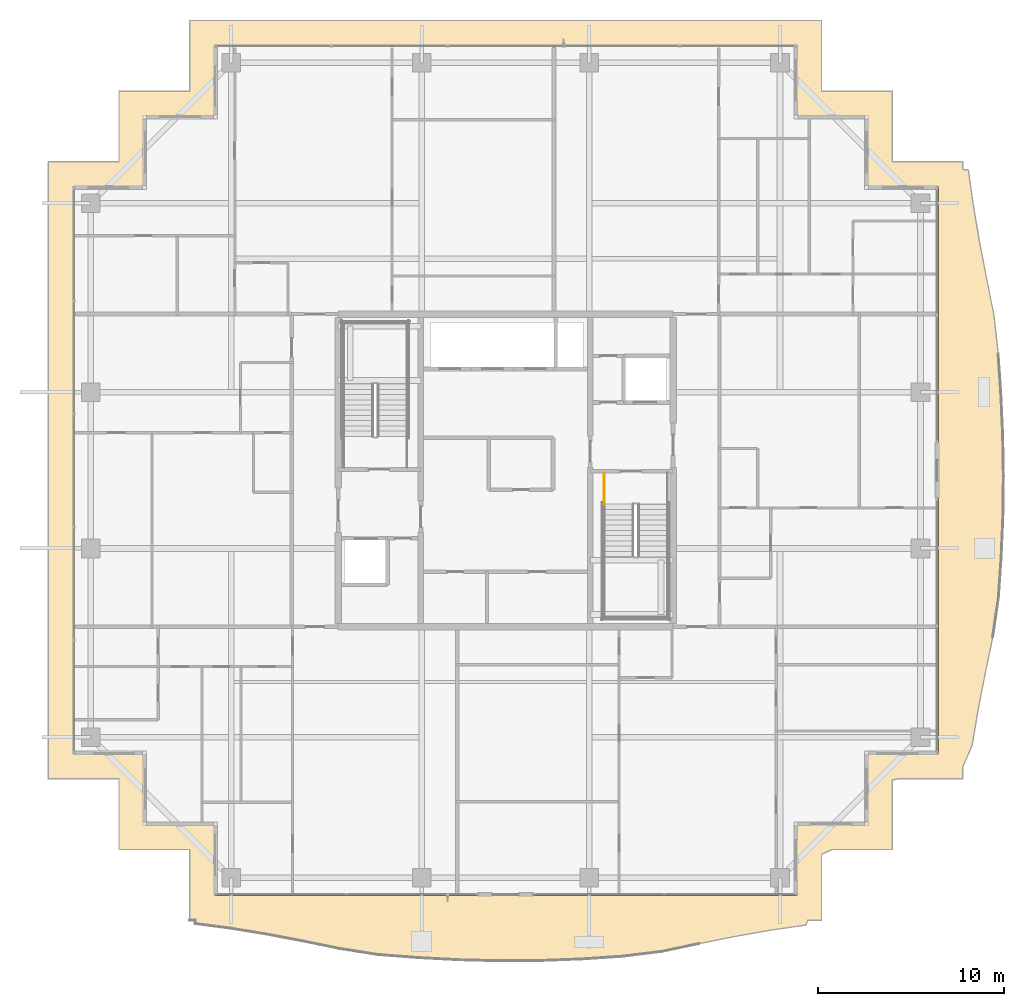
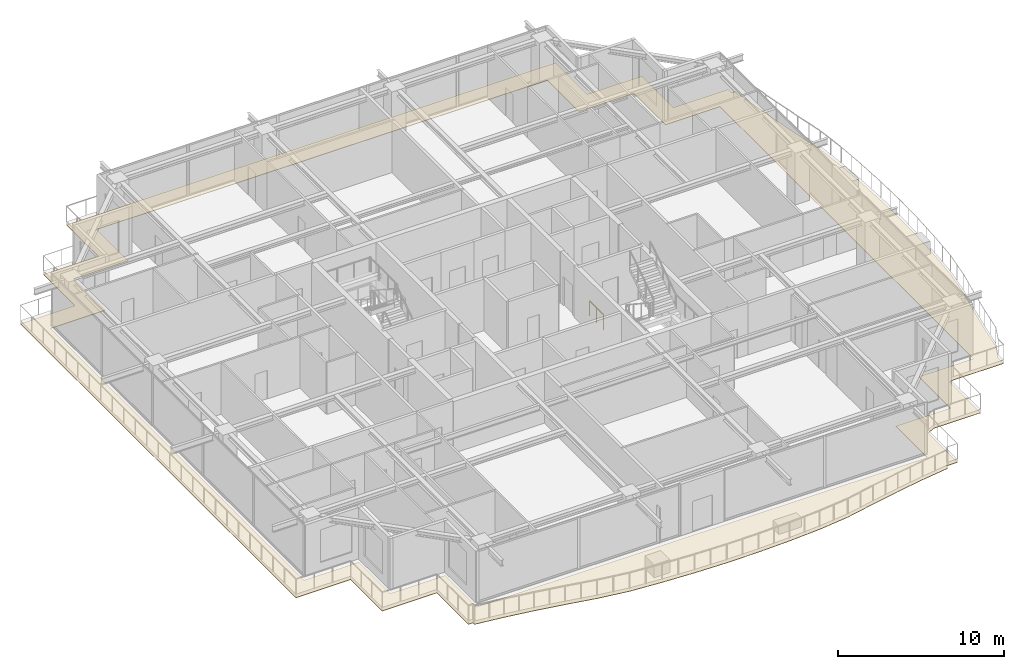
# One storey, part 39 of 41: 1 covering, 1 railing.
"""IFC4 building model written with IfcOpenShell, lengths in metres."""

import ifcopenshell
import ifcopenshell.guid

model = None  # the IFC model being written
_history = None  # IfcOwnerHistory: only IFC2X3 demands one
_inside = {}  # id of a spatial element -> (the spatial element, [elements in it])
_under = {}  # id of a project, library or spatial element -> (it, [spatial elements below it])
_declared = {}  # id of a project -> (the project, [libraries it declares])
_typed = {}  # id of a type object -> (the type object, [elements of that type])
_made_of = {}  # id of a material, layer set ... -> (it, [elements and type objects made of it])


def new_model(schema):
    """Start an empty IFC model of exactly this schema.

    Asked for "IFC4X3", IfcOpenShell would pick the latest addendum, in which some entities
    have other attributes; the version numbers below select the first issue.
    IFC2X3 requires an IfcOwnerHistory on every rooted entity: one is made here for all.
    """
    global model, _history
    if schema == "IFC4X3":
        model = ifcopenshell.file(schema_version=(4, 3, 0, 0))
    else:
        model = ifcopenshell.file(schema=schema)
    _inside.clear()
    _under.clear()
    _declared.clear()
    _typed.clear()
    _made_of.clear()
    _history = None
    if model.schema == "IFC2X3":
        org = make("IfcOrganization", Name="unknown")
        user = make(
            "IfcPersonAndOrganization",
            ThePerson=make("IfcPerson", FamilyName="unknown"),
            TheOrganization=org,
        )
        app = make(
            "IfcApplication",
            ApplicationDeveloper=org,
            Version="unknown",
            ApplicationFullName="unknown",
            ApplicationIdentifier="unknown",
        )
        _history = make(
            "IfcOwnerHistory",
            OwningUser=user,
            OwningApplication=app,
            ChangeAction="ADDED",
            CreationDate=0,
        )
    return model


def make(cls, **values):
    """One entity of the class cls with the attributes given. An attribute that is None is left unset."""
    return model.create_entity(
        cls, **{name: value for name, value in values.items() if value is not None}
    )


def rooted(cls, **values):
    """An entity with a GlobalId (a new one), such as an element, a storey or a relation."""
    return make(cls, GlobalId=ifcopenshell.guid.new(), OwnerHistory=_history, **values)


def si_unit(unit_type, name, prefix=None):
    """IfcSIUnit, for example si_unit("LENGTHUNIT", "METRE", prefix="MILLI")."""
    return make("IfcSIUnit", UnitType=unit_type, Prefix=prefix, Name=name)


def assignment(units):
    """IfcUnitAssignment: the units of a project."""
    return None if units is None else make("IfcUnitAssignment", Units=units)


def point(xyz):
    """IfcCartesianPoint."""
    return None if xyz is None else make("IfcCartesianPoint", Coordinates=xyz)


def direction(xyz):
    """IfcDirection."""
    return None if xyz is None else make("IfcDirection", DirectionRatios=xyz)


def frame(location, z_axis=None, x_axis=None):
    """IfcAxis2Placement3D, a coordinate frame: its origin and axes. An axis left out is left unset."""
    return make(
        "IfcAxis2Placement3D",
        Location=point(location),
        Axis=direction(z_axis),
        RefDirection=direction(x_axis),
    )


def frame_2d(location, x_axis=None):
    """IfcAxis2Placement2D, a coordinate frame in the plane: its origin and x axis."""
    return make(
        "IfcAxis2Placement2D", Location=point(location), RefDirection=direction(x_axis)
    )


def origin():
    """The frame at (0, 0, 0) with its axes left unset."""
    return frame((0.0, 0.0, 0.0))


def origin_2d():
    """The frame at (0, 0) in the plane with its x axis left unset."""
    return frame_2d((0.0, 0.0))


def place(relative_to, where):
    """IfcLocalPlacement: puts the frame where relative to a parent placement (None: the world)."""
    return make(
        "IfcLocalPlacement", PlacementRelTo=relative_to, RelativePlacement=where
    )


def context(
    kind, dimensions, precision=None, world=None, true_north=None, identifier=None
):
    """IfcGeometricRepresentationContext, for example the 3D "Model" context."""
    return make(
        "IfcGeometricRepresentationContext",
        ContextIdentifier=identifier,
        ContextType=kind,
        CoordinateSpaceDimension=dimensions,
        Precision=precision,
        WorldCoordinateSystem=world,
        TrueNorth=true_north,
    )


def subcontext(parent, identifier, kind, view, scale=None):
    """IfcGeometricRepresentationSubContext, for example "Body" below "Model"."""
    return make(
        "IfcGeometricRepresentationSubContext",
        ContextIdentifier=identifier,
        ContextType=kind,
        ParentContext=parent,
        TargetScale=scale,
        TargetView=view,
    )


def project(units=None, contexts=None):
    """IfcProject with its units and contexts."""
    return rooted(
        "IfcProject",
        Name="project",
        RepresentationContexts=contexts,
        UnitsInContext=assignment(units),
    )


def spatial(cls, under=None, at=None, **own):
    """A site, building, storey or space (cls), placed at a placement, below another one or the project."""
    s = rooted(cls, ObjectPlacement=at, **own)
    if under is not None:
        _under.setdefault(under.id(), (under, []))[1].append(s)
    return s


def polyline(points):
    """IfcPolyline through the points."""
    return make("IfcPolyline", Points=[point(p) for p in points])


def profile(cls, at=None, kind="AREA", **sizes):
    """A parametric profile (cls). Its sizes go by their IFC names, for example OverallWidth=200.0."""
    return make(cls, ProfileType=kind, Position=at, **sizes)


def circle(**sizes):
    """IfcCircleProfileDef."""
    return profile("IfcCircleProfileDef", **sizes)


def outline(outer, holes=None, kind="AREA"):
    """IfcArbitraryClosedProfileDef: a profile drawn as a closed curve; with holes, ...WithVoids."""
    if holes is None:
        return make("IfcArbitraryClosedProfileDef", ProfileType=kind, OuterCurve=outer)
    return make(
        "IfcArbitraryProfileDefWithVoids",
        ProfileType=kind,
        OuterCurve=outer,
        InnerCurves=holes,
    )


def extrude(swept, where, along, depth):
    """IfcExtrudedAreaSolid: the profile swept, set in the frame where, extruded along a direction by depth."""
    return make(
        "IfcExtrudedAreaSolid",
        SweptArea=swept,
        Position=where,
        ExtrudedDirection=direction(along),
        Depth=depth,
    )


def shape(context_of_items, identifier, shape_type, items):
    """IfcShapeRepresentation: the items that make up one representation, for example the "Body"."""
    return make(
        "IfcShapeRepresentation",
        ContextOfItems=context_of_items,
        RepresentationIdentifier=identifier,
        RepresentationType=shape_type,
        Items=items,
    )


def material(Name=None, Category=None):
    """IfcMaterial."""
    return make("IfcMaterial", Name=Name, Category=Category)


def layer(
    of_material, thickness, ventilated=None, Name=None, Category=None, Priority=None
):
    """IfcMaterialLayer: one layer of a wall or slab, of a material (None: an air gap)."""
    return make(
        "IfcMaterialLayer",
        Material=of_material,
        LayerThickness=thickness,
        IsVentilated=ventilated,
        Name=Name,
        Category=Category,
        Priority=Priority,
    )


def layer_set(layers, Name=None):
    """IfcMaterialLayerSet."""
    return make("IfcMaterialLayerSet", MaterialLayers=layers, LayerSetName=Name)


def made_of(thing, what):
    """Note that an element or type object is made of a material, layer set ...; save() writes the relation."""
    if what is not None:
        _made_of.setdefault(what.id(), (what, []))[1].append(thing)
    return thing


def type_object(cls, material=None, **own):
    """A type object (cls), such as IfcWallType, which elements share."""
    return made_of(rooted(cls, **own), material)


def element(
    cls,
    number,
    at=None,
    inside=None,
    cuts=None,
    type_object=None,
    material=None,
    context=None,
    identifier="Body",
    shape_type=None,
    held_by="IfcProductDefinitionShape",
    body=None,
    shapes=None,
    **own,
):
    """One element of the class cls, such as IfcWall. Its Tag is "e" and its number.

    at: its placement. inside: the storey or other place that contains it. cuts: it is an
    opening in that element (IfcRelVoidsElement). A single representation is given by context,
    identifier, shape_type and body (its items); several are given by shapes. held_by: the class
    of the entity that holds the representations. save() writes the other relations.
    """
    e = rooted(cls, Tag="e%d" % number, ObjectPlacement=at, **own)
    if body is not None:
        shapes = [shape(context, identifier, shape_type, body)]
    if shapes is not None:
        e.Representation = make(held_by, Representations=shapes)
    if inside is not None:
        _inside.setdefault(inside.id(), (inside, []))[1].append(e)
    if cuts is not None:
        rooted(
            "IfcRelVoidsElement", RelatingBuildingElement=cuts, RelatedOpeningElement=e
        )
    if type_object is not None:
        _typed.setdefault(type_object.id(), (type_object, []))[1].append(e)
    return made_of(e, material)


def aggregate(whole, parts):
    """IfcRelAggregates: a whole, such as a stair, and the parts it consists of."""
    return rooted("IfcRelAggregates", RelatingObject=whole, RelatedObjects=parts)


def save(model, path):
    """Write the relations noted so far, then the file.

    IfcRelAggregates (storeys below a building ...), IfcRelContainedInSpatialStructure (elements
    in a storey), IfcRelDefinesByType, IfcRelAssociatesMaterial and IfcRelDeclares: one each for
    every whole, place, type object, material and project.
    """
    for whole, parts in _under.values():
        aggregate(whole, parts)
    for where, things in _inside.values():
        rooted(
            "IfcRelContainedInSpatialStructure",
            RelatedElements=things,
            RelatingStructure=where,
        )
    for kind, things in _typed.values():
        rooted("IfcRelDefinesByType", RelatedObjects=things, RelatingType=kind)
    for what, things in _made_of.values():
        rooted("IfcRelAssociatesMaterial", RelatedObjects=things, RelatingMaterial=what)
    for by, libraries in _declared.values():
        rooted("IfcRelDeclares", RelatingContext=by, RelatedDefinitions=libraries)
    model.write(path)


model = new_model("IFC4")

# Units and contexts
model_context = context("Model", 3, precision=1e-05, world=origin(), true_north=direction((0.0, 1.0)))
body_context = subcontext(model_context, "Body", "Model", "MODEL_VIEW")
ifc_project = project(units=[si_unit("LENGTHUNIT", "METRE"), si_unit("AREAUNIT", "SQUARE_METRE"), si_unit("VOLUMEUNIT", "CUBIC_METRE"), si_unit("PLANEANGLEUNIT", "RADIAN"), si_unit("MASSUNIT", "GRAM", prefix="KILO")], contexts=[model_context])

# Site, building, storey
site_placement = place(None, origin())
site = spatial("IfcSite", under=ifc_project, at=site_placement, CompositionType="ELEMENT")
building_placement = place(site_placement, origin())
building = spatial("IfcBuilding", under=site, at=building_placement, Name="Serunith Strait Residences", CompositionType="ELEMENT")
storey_placement = place(building_placement, frame((0.0, 0.0, 301.550048828125)))
storey = spatial("IfcBuildingStorey", under=building, at=storey_placement, Name="L75", CompositionType="ELEMENT", Elevation=301.550048828125)

# Covering
ifc_material_1 = material(Name="Golden Teak Exterior Timber Boarding", Category="wood")
ifc_layer = layer(ifc_material_1, 0.034912109375, Name="Golden Teak Exterior Timber Boarding")
ifc_layer_set = layer_set([ifc_layer], Name="Golden Teak Exterior Timber Boarding")
covering_type = type_object("IfcCoveringType", Name="COV-TEAK-SOFFIT", PredefinedType="CEILING", material=ifc_layer_set)
covering_placement = place(storey_placement, frame((0.0, 0.0, -0.324951171875)))
element("IfcCovering", 1, at=covering_placement, inside=storey, type_object=covering_type, Name="L75 Golden-Teak Balcony Soffit Lining", PredefinedType="CEILING", context=body_context, shape_type="SweptSolid", body=[
    extrude(outline(polyline([(15.419921875, 1.02001953125), (15.419921875, 4.820068359375), (11.6201171875, 4.820068359375), (11.6201171875, 8.6201171875), (7.820068359375, 8.6201171875), (7.820068359375, 41.780029296875), (11.6201171875, 41.780029296875), (11.6201171875, 45.580078125), (15.407470703125, 45.580078125), (15.419921875, 45.584716796875), (15.419921875, 49.3798828125), (49.3798828125, 49.3798828125), (49.3798828125, 45.580078125), (53.179931640625, 45.580078125), (53.179931640625, 41.921142578125), (53.201171875, 41.780029296875), (56.97998046875, 41.780029296875), (56.97998046875, 41.367919921875), (57.2685546875, 41.350341796875), (57.53759765625, 39.4482421875), (57.862548828125, 37.52880859375), (58.2373046875, 35.57568359375), (58.64208984375, 33.5703125), (58.87841796875, 31.458251953125), (59.02587890625, 29.293212890625), (59.125, 27.1005859375), (59.163330078125, 24.892333984375), (59.134765625, 22.68408203125), (59.040771484375, 20.491943359375), (58.89111328125, 18.329833984375), (58.584228515625, 16.24609375), (58.17138671875, 14.25830078125), (57.794189453125, 12.3203125), (57.4716796875, 10.41259765625), (56.97998046875, 9.27587890625), (56.97998046875, 8.6201171875), (53.48193359375, 8.6201171875), (53.179931640625, 8.544677734375), (53.179931640625, 4.820068359375), (49.9423828125, 4.820068359375), (49.3798828125, 4.554931640625), (49.3798828125, 1.02001953125), (48.63330078125, 1.02001953125), (48.548583984375, 0.7626953125), (46.653076171875, 0.4873046875), (44.741455078125, 0.15087890625), (42.795654296875, -0.240478515625), (40.794677734375, -0.664794921875), (38.682861328125, -0.924560546875), (36.509521484375, -1.069580078125), (34.30712890625, -1.154296875), (32.091552734375, -1.16943359375), (29.880126953125, -1.1142578125), (27.689208984375, -0.996826171875), (25.530517578125, -0.83154296875), (23.455810546875, -0.50537109375), (21.47119140625, -0.09716796875), (19.533935546875, 0.26953125), (17.624267578125, 0.57958984375), (15.7265625, 0.831298828125), (15.72802734375, 1.02001953125), (15.419921875, 1.02001953125)]), holes=[polyline([(48.054931640625, 2.344970703125), (48.054931640625, 6.14501953125), (51.85498046875, 6.14501953125), (51.85498046875, 9.945068359375), (55.655029296875, 9.945068359375), (55.655029296875, 40.455078125), (51.85498046875, 40.455078125), (51.85498046875, 44.2548828125), (48.054931640625, 44.2548828125), (48.054931640625, 48.054931640625), (16.7451171875, 48.054931640625), (16.7451171875, 44.2548828125), (12.945068359375, 44.2548828125), (12.945068359375, 40.455078125), (9.14501953125, 40.455078125), (9.14501953125, 9.945068359375), (12.945068359375, 9.945068359375), (12.945068359375, 6.14501953125), (16.7451171875, 6.14501953125), (16.7451171875, 2.344970703125), (48.054931640625, 2.344970703125)])]), origin(), (0.0, 0.0, 1.0), 0.034912109375),
])

# Railing
ifc_material_2 = material(Name="Brushed stainless steel 316L", Category="steel")
railing_type = type_object("IfcRailingType", Name="RLG-STAIR-GUARD", PredefinedType="BALUSTRADE", material=ifc_material_2)
railing_placement = place(storey_placement, frame((37.699951171875, 25.050048828125, 0.0)))
element("IfcRailing", 2, at=railing_placement, inside=storey, type_object=railing_type, Name="L75 ST-2 stair guard 8", PredefinedType="BALUSTRADE", context=body_context, shape_type="SweptSolid", body=[
    extrude(circle(Radius=0.02392578125, at=origin_2d()), frame((0.0, -0.001953125, 1.076171875), z_axis=(0.0, -1.0, 0.0), x_axis=(1.0, 0.0, 0.0)), (0.0, 0.0, 1.0), 1.676025390625),
    extrude(circle(Radius=0.02099609375, at=origin_2d()), origin(), (0.0, 0.0, 1.0), 1.050048828125),
    extrude(circle(Radius=0.02099609375, at=origin_2d()), frame((0.0, -0.83984375, 0.0)), (0.0, 0.0, 1.0), 1.050048828125),
    extrude(circle(Radius=0.02099609375, at=origin_2d()), frame((0.0, -1.679931640625, 0.0)), (0.0, 0.0, 1.0), 1.050048828125),
])

save(model, "model.ifc")
